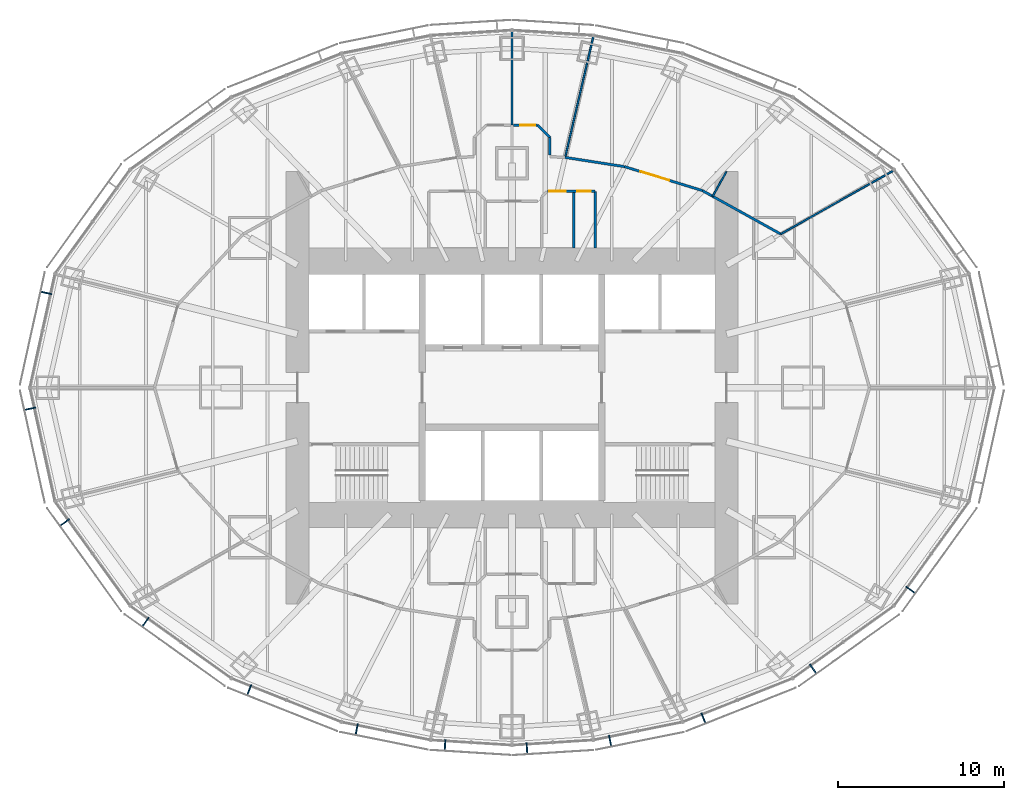
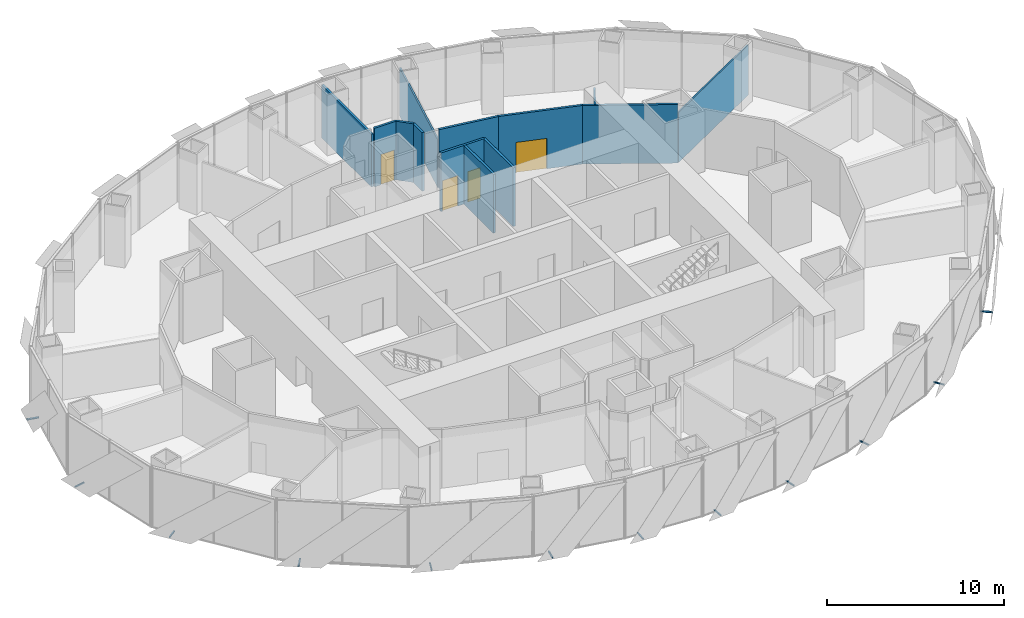
# One storey, part 13 of 17: 13 walls, 12 discrete accessories, 4 doors, 4 openings.
"""IFC4 building model written with IfcOpenShell, lengths in metres."""

from ifc_helpers import new_model, si_unit, direction, frame, frame_2d, origin, origin_2d, place, context, subcontext, project, spatial, rectangle, extrude, material, layer, layer_set, type_object, element, fill, save


model = new_model("IFC4")

# Units and contexts
model_context = context("Model", 3, precision=1e-05, world=origin(), true_north=direction((0.0, 1.0)))
body_context = subcontext(model_context, "Body", "Model", "MODEL_VIEW")
ifc_project = project(units=[si_unit("LENGTHUNIT", "METRE"), si_unit("AREAUNIT", "SQUARE_METRE"), si_unit("VOLUMEUNIT", "CUBIC_METRE"), si_unit("PLANEANGLEUNIT", "RADIAN"), si_unit("MASSUNIT", "GRAM", prefix="KILO")], contexts=[model_context])

# Site, building, storey
site_placement = place(None, origin())
site = spatial("IfcSite", under=ifc_project, at=site_placement, CompositionType="ELEMENT")
building_placement = place(site_placement, origin())
building = spatial("IfcBuilding", under=site, at=building_placement, Name="Lantaw Convention Tower", CompositionType="ELEMENT")
storey_placement = place(building_placement, frame((0.0, 0.0, 155.199951171875)))
storey = spatial("IfcBuildingStorey", under=building, at=storey_placement, Name="L36", CompositionType="ELEMENT", Elevation=155.199951171875)

# Wall
ifc_material_1 = material(Name="Gypsum board on steel studs, fire rated", Category="steel")
ifc_layer_1 = layer(ifc_material_1, 0.14990234375)
ifc_layer_set_1 = layer_set([ifc_layer_1], Name="Corridor wall 150 EI 60")
wall_type_1 = type_object("IfcWallType", Name="Corridor wall 150 EI 60", PredefinedType="PARTITIONING", material=ifc_layer_set_1)
wall_1_placement = place(storey_placement, frame((16.159912109375, 9.234375, 0.0), z_axis=(0.0, 0.0, 1.0), x_axis=(-0.87433873028, 0.485316169865, 0.0)))
element("IfcWall", 1, at=wall_1_placement, inside=storey, type_object=wall_type_1, Name="Corridor wall 150", PredefinedType="PARTITIONING", context=body_context, shape_type="SweptSolid", body=[
    extrude(rectangle(XDim=5.392822265625, YDim=0.14990234375, at=frame_2d((2.6962890625, 0.0))), origin(), (0.0, 0.0, 1.0), 4.050048828125),
])

# Wall, opening, door
wall_2_placement = place(storey_placement, frame((11.44482421875, 11.8515625, 0.0), z_axis=(0.0, 0.0, 1.0), x_axis=(-0.955892284323, 0.293717450573, 0.0)))
wall_2 = element("IfcWall", 2, at=wall_2_placement, inside=storey, type_object=wall_type_1, Name="Corridor wall 150", PredefinedType="PARTITIONING", context=body_context, shape_type="SweptSolid", body=[
    extrude(rectangle(XDim=4.889892578125, YDim=0.14990234375, at=frame_2d((2.44482421875, 0.0))), origin(), (0.0, 0.0, 1.0), 4.050048828125),
])
opening_1_placement = place(wall_2_placement, frame((2.08154296875, 0.0, 0.0)))
opening_1 = element("IfcOpeningElement", 3, at=opening_1_placement, cuts=wall_2, Name="Opening L36.24", PredefinedType="OPENING", context=body_context, shape_type="SweptSolid", body=[
    extrude(rectangle(XDim=1.800048828125, YDim=2.10009765625, at=frame_2d((0.89990234375, 1.050048828125))), frame((0.0, 0.0849609375, 0.0), z_axis=(0.0, -1.0, 0.0), x_axis=(1.0, 0.0, 0.0)), (0.0, 0.0, 1.0), 0.169921875),
])
ifc_material_2 = material(Name="Steel, fire rated", Category="steel")
door_type_1 = type_object("IfcDoorType", Name="Office double door 1800 FD30", OperationType="DOUBLE_DOOR_DOUBLE_SWING", PredefinedType="DOOR", material=ifc_material_2)
door_1_placement = place(opening_1_placement, origin())
door_1 = element("IfcDoor", 4, at=door_1_placement, inside=storey, type_object=door_type_1, Name="Tenant suite door", OperationType="DOUBLE_DOOR_DOUBLE_SWING", OverallHeight=2.10009765625, OverallWidth=1.800048828125, PredefinedType="DOOR", context=body_context, shape_type="SweptSolid", body=[
    extrude(rectangle(XDim=1.800048828125, YDim=2.10009765625, at=frame_2d((0.89990234375, 1.050048828125))), frame((0.0, 0.02490234375, 0.0), z_axis=(0.0, -1.0, 0.0), x_axis=(1.0, 0.0, 0.0)), (0.0, 0.0, 1.0), 0.050048828125),
])
fill(opening_1, door_1)

# Wall
wall_3_placement = place(storey_placement, frame((6.7705078125, 13.287841796875, 0.0), z_axis=(0.0, 0.0, 1.0), x_axis=(-0.98808911792, 0.153882731479, 0.0)))
element("IfcWall", 5, at=wall_3_placement, inside=storey, type_object=wall_type_1, Name="Corridor wall 150", PredefinedType="PARTITIONING", context=body_context, shape_type="SweptSolid", body=[
    extrude(rectangle(XDim=3.6171875, YDim=0.14990234375, at=frame_2d((1.80859375, 0.0))), origin(), (0.0, 0.0, 1.0), 4.050048828125),
])

# Wall, opening, door
wall_4_placement = place(storey_placement, frame((0.103271484375, 15.784912109375, 0.0), z_axis=(0.0, 0.0, 1.0), x_axis=(1.0, 0.0, 0.0)))
wall_4 = element("IfcWall", 6, at=wall_4_placement, inside=storey, type_object=wall_type_1, Name="Corridor wall 150", PredefinedType="PARTITIONING", context=body_context, shape_type="SweptSolid", body=[
    extrude(rectangle(XDim=1.428955078125, YDim=0.14990234375, at=frame_2d((0.71435546875, 0.0))), origin(), (0.0, 0.0, 1.0), 4.050048828125),
])
opening_2_placement = place(wall_4_placement, frame((0.39990234375, 0.0, 0.0)))
opening_2 = element("IfcOpeningElement", 7, at=opening_2_placement, cuts=wall_4, Name="Opening L36.25", PredefinedType="OPENING", context=body_context, shape_type="SweptSolid", body=[
    extrude(rectangle(XDim=0.89990234375, YDim=2.10009765625, at=frame_2d((0.449951171875, 1.050048828125))), frame((0.0, 0.0849609375, 0.0), z_axis=(0.0, -1.0, 0.0), x_axis=(1.0, 0.0, 0.0)), (0.0, 0.0, 1.0), 0.169921875),
])
door_type_2 = type_object("IfcDoorType", Name="Office door 900 FD30", OperationType="SINGLE_SWING_LEFT", PredefinedType="DOOR", material=ifc_material_2)
door_2_placement = place(opening_2_placement, origin())
door_2 = element("IfcDoor", 8, at=door_2_placement, inside=storey, type_object=door_type_2, Name="Pantry door", OperationType="SINGLE_SWING_LEFT", OverallHeight=2.10009765625, OverallWidth=0.89990234375, PredefinedType="DOOR", context=body_context, shape_type="SweptSolid", body=[
    extrude(rectangle(XDim=0.89990234375, YDim=2.10009765625, at=frame_2d((0.449951171875, 1.050048828125))), frame((0.0, 0.02490234375, 0.0), z_axis=(0.0, -1.0, 0.0), x_axis=(1.0, 0.0, 0.0)), (0.0, 0.0, 1.0), 0.050048828125),
])
fill(opening_2, door_2)

# Walls
wall_5_placement = place(storey_placement, frame((1.5322265625, 15.784912109375, 0.0), z_axis=(0.0, 0.0, 1.0), x_axis=(0.707106781187, -0.707106781187, 0.0)))
element("IfcWall", 9, at=wall_5_placement, inside=storey, type_object=wall_type_1, Name="Corridor wall 150", PredefinedType="PARTITIONING", context=body_context, shape_type="SweptSolid", body=[
    extrude(rectangle(XDim=1.064453125, YDim=0.14990234375, at=frame_2d((0.5322265625, 0.0))), origin(), (0.0, 0.0, 1.0), 4.050048828125),
])
wall_6_placement = place(storey_placement, frame((2.284912109375, 15.0322265625, 0.0), z_axis=(0.0, 0.0, 1.0), x_axis=(0.0, -1.0, 0.0)))
element("IfcWall", 10, at=wall_6_placement, inside=storey, type_object=wall_type_1, Name="Corridor wall 150", PredefinedType="PARTITIONING", context=body_context, shape_type="SweptSolid", body=[
    extrude(rectangle(XDim=1.042236328125, YDim=0.14990234375, at=frame_2d((0.52099609375, 0.0))), origin(), (0.0, 0.0, 1.0), 4.050048828125),
])
ifc_material_3 = material(Name="Gypsum board on steel studs, acoustic", Category="steel")
ifc_layer_2 = layer(ifc_material_3, 0.10009765625)
ifc_layer_set_2 = layer_set([ifc_layer_2], Name="Office partition 100")
wall_type_2 = type_object("IfcWallType", Name="Office partition 100", PredefinedType="PARTITIONING", material=ifc_layer_set_2)
wall_7_placement = place(storey_placement, frame((22.94921875, 13.058837890625, 0.0), z_axis=(0.0, 0.0, 1.0), x_axis=(-0.871274989434, -0.490795163777, 0.0)))
element("IfcWall", 11, at=wall_7_placement, inside=storey, type_object=wall_type_2, Name="Office partition 100", PredefinedType="PARTITIONING", context=body_context, shape_type="SweptSolid", body=[
    extrude(rectangle(XDim=7.79248046875, YDim=0.10009765625, at=frame_2d((3.896240234375, 0.0))), origin(), (0.0, 0.0, 1.0), 3.45068359375),
])
wall_8_placement = place(storey_placement, frame((4.89697265625, 21.134765625, 0.0), z_axis=(0.0, 0.0, 1.0), x_axis=(-0.227181159974, -0.973852514785, 0.0)))
element("IfcWall", 12, at=wall_8_placement, inside=storey, type_object=wall_type_2, Name="Office partition 100", PredefinedType="PARTITIONING", context=body_context, shape_type="SweptSolid", body=[
    extrude(rectangle(XDim=7.486083984375, YDim=0.10009765625, at=frame_2d((3.7431640625, 0.0))), origin(), (0.0, 0.0, 1.0), 3.293212890625),
])
wall_9_placement = place(storey_placement, frame((12.89990234375, 13.0, 0.0), z_axis=(0.0, 0.0, 1.0), x_axis=(-0.485339901234, -0.87432555737, 0.0)))
element("IfcWall", 13, at=wall_9_placement, inside=storey, type_object=wall_type_2, Name="Office partition 100", PredefinedType="PARTITIONING", context=body_context, shape_type="SweptSolid", body=[
    extrude(rectangle(XDim=1.710205078125, YDim=0.10009765625, at=frame_2d((0.85498046875, 0.0))), origin(), (0.0, 0.0, 1.0), 4.050048828125),
])
ifc_layer_3 = layer(ifc_material_1, 0.14990234375)
ifc_layer_set_3 = layer_set([ifc_layer_3], Name="Tenant separation wall 150 EI 60")
wall_type_3 = type_object("IfcWallType", Name="Tenant separation wall 150 EI 60", PredefinedType="PARTITIONING", material=ifc_layer_set_3)
wall_10_placement = place(storey_placement, frame((0.0, 21.44482421875, 0.0), z_axis=(0.0, 0.0, 1.0), x_axis=(0.0, -1.0, 0.0)))
element("IfcWall", 14, at=wall_10_placement, inside=storey, type_object=wall_type_3, Name="Tenant separation wall 150", PredefinedType="PARTITIONING", context=body_context, shape_type="SweptSolid", body=[
    extrude(rectangle(XDim=5.64990234375, YDim=0.14990234375, at=frame_2d((2.824951171875, 0.0))), origin(), (0.0, 0.0, 1.0), 3.646240234375),
])
ifc_material_4 = material(Name="Concrete blockwork", Category="masonry")
ifc_layer_4 = layer(ifc_material_4, 0.14990234375)
ifc_layer_set_4 = layer_set([ifc_layer_4], Name="WC wall 150")
wall_type_4 = type_object("IfcWallType", Name="WC wall 150", PredefinedType="SOLIDWALL", material=ifc_layer_set_4)
for number, where, z_axis, x_axis, name in (
    (15, (5.0, 8.39990234375, 0.0), (0.0, 0.0, 1.0), (0.0, 1.0, 0.0), "WC wall 150"),
    (16, (3.699951171875, 8.39990234375, 0.0), (0.0, 0.0, 1.0), (0.0, 1.0, 0.0), "WC wall 150"),
):
    element("IfcWall", number, at=place(storey_placement, frame(where, z_axis=z_axis, x_axis=x_axis)), inside=storey, type_object=wall_type_4, Name=name, PredefinedType="SOLIDWALL", context=body_context, shape_type="SweptSolid", body=[
        extrude(rectangle(XDim=3.400146484375, YDim=0.14990234375, at=frame_2d((1.7001953125, 0.0))), origin(), (0.0, 0.0, 1.0), 4.050048828125),
    ])

# Wall, openings, doors
wall_11_placement = place(storey_placement, frame((2.13134765625, 11.800048828125, 0.0), z_axis=(0.0, 0.0, 1.0), x_axis=(1.0, 0.0, 0.0)))
wall_11 = element("IfcWall", 17, at=wall_11_placement, inside=storey, type_object=wall_type_4, Name="WC wall 150", PredefinedType="SOLIDWALL", context=body_context, shape_type="SweptSolid", body=[
    extrude(rectangle(XDim=2.86865234375, YDim=0.14990234375, at=frame_2d((1.434326171875, 0.0))), origin(), (0.0, 0.0, 1.0), 4.050048828125),
])
opening_3_placement = place(wall_11_placement, frame((0.10009765625, 0.0, 0.0)))
opening_3 = element("IfcOpeningElement", 18, at=opening_3_placement, cuts=wall_11, Name="Opening L36.16", PredefinedType="OPENING", context=body_context, shape_type="SweptSolid", body=[
    extrude(rectangle(XDim=1.0, YDim=2.10009765625, at=frame_2d((0.5, 1.050048828125))), frame((0.0, 0.0849609375, 0.0), z_axis=(0.0, -1.0, 0.0), x_axis=(1.0, 0.0, 0.0)), (0.0, 0.0, 1.0), 0.169921875),
])
opening_4_placement = place(wall_11_placement, frame((1.800048828125, 0.0, 0.0)))
opening_4 = element("IfcOpeningElement", 19, at=opening_4_placement, cuts=wall_11, Name="Opening L36.17", PredefinedType="OPENING", context=body_context, shape_type="SweptSolid", body=[
    extrude(rectangle(XDim=0.800048828125, YDim=2.10009765625, at=frame_2d((0.39990234375, 1.050048828125))), frame((0.0, 0.0849609375, 0.0), z_axis=(0.0, -1.0, 0.0), x_axis=(1.0, 0.0, 0.0)), (0.0, 0.0, 1.0), 0.169921875),
])
ifc_material_5 = material(Name="Timber", Category="wood")
door_type_3 = type_object("IfcDoorType", Name="Accessible WC door 1000", OperationType="SINGLE_SWING_LEFT", PredefinedType="DOOR", material=ifc_material_5)
door_3_placement = place(opening_3_placement, origin())
door_3 = element("IfcDoor", 20, at=door_3_placement, inside=storey, type_object=door_type_3, Name="Accessible WC door", OperationType="SINGLE_SWING_LEFT", OverallHeight=2.10009765625, OverallWidth=1.0, PredefinedType="DOOR", context=body_context, shape_type="SweptSolid", body=[
    extrude(rectangle(XDim=1.0, YDim=2.10009765625, at=frame_2d((0.5, 1.050048828125))), frame((0.0, 0.02490234375, 0.0), z_axis=(0.0, -1.0, 0.0), x_axis=(1.0, 0.0, 0.0)), (0.0, 0.0, 1.0), 0.050048828125),
])
fill(opening_3, door_3)
door_type_4 = type_object("IfcDoorType", Name="WC door 800", OperationType="SINGLE_SWING_LEFT", PredefinedType="DOOR", material=ifc_material_5)
door_4_placement = place(opening_4_placement, origin())
door_4 = element("IfcDoor", 21, at=door_4_placement, inside=storey, type_object=door_type_4, Name="Cleaner's store door", OperationType="SINGLE_SWING_LEFT", OverallHeight=2.10009765625, OverallWidth=0.800048828125, PredefinedType="DOOR", context=body_context, shape_type="SweptSolid", body=[
    extrude(rectangle(XDim=0.800048828125, YDim=2.10009765625, at=frame_2d((0.39990234375, 1.050048828125))), frame((0.0, 0.02490234375, 0.0), z_axis=(0.0, -1.0, 0.0), x_axis=(1.0, 0.0, 0.0)), (0.0, 0.0, 1.0), 0.050048828125),
])
fill(opening_4, door_4)

# Discrete accessories
for number, where, z_axis, x_axis, name in (
    (22, (-28.008056640625, 5.6953125, -0.114990234375), (0.0, 0.0, 1.0), (-0.215546166174, -0.9764936509, 0.0), "Screen bracket"),
    (23, (-28.98486328125, -1.269775390625, -0.114990234375), (0.0, 0.0, 1.0), (0.215546166174, -0.9764936509, 0.0), "Screen bracket"),
    (24, (-26.900146484375, -8.111572265625, -0.114990234375), (0.0, 0.0, 1.0), (0.584512597221, -0.811384633629, 0.0), "Screen bracket"),
    (25, (-22.044189453125, -14.10546875, -0.114990234375), (0.0, 0.0, 1.0), (0.813208325995, -0.581972695693, 0.0), "Screen bracket"),
    (26, (-15.802978515625, -18.18798828125, -0.114990234375), (0.0, 0.0, 1.0), (0.929547687544, -0.368701907483, 0.0), "Screen bracket"),
    (27, (-9.339599609375, -20.56005859375, -0.114990234375), (0.0, 0.0, 1.0), (0.980301514912, -0.197506809659, 0.0), "Screen bracket"),
    (28, (-4.027099609375, -21.505859375, -0.114990234375), (0.0, 0.0, 1.0), (0.998022035978, -0.062865059466, 0.0), "Screen bracket"),
    (29, (0.89794921875, -21.702880859375, -0.114990234375), (0.0, 0.0, 1.0), (0.998022035978, 0.062865059466, 0.0), "Screen bracket"),
    (30, (5.903076171875, -21.25244140625, -0.114990234375), (0.0, 0.0, 1.0), (0.980301514912, 0.197506809659, 0.0), "Screen bracket"),
    (31, (11.517822265625, -19.887939453125, -0.114990234375), (0.0, 0.0, 1.0), (0.929547687544, 0.368701907483, 0.0), "Screen bracket"),
    (32, (18.10791015625, -16.922607421875, -0.114990234375), (0.0, 0.0, 1.0), (0.813208325995, 0.581972695693, 0.0), "Screen bracket"),
    (33, (23.9765625, -12.169677734375, -0.114990234375), (0.0, 0.0, 1.0), (0.584512597221, 0.811384633629, 0.0), "Screen bracket"),
):
    element("IfcDiscreteAccessory", number, at=place(storey_placement, frame(where, z_axis=z_axis, x_axis=x_axis)), inside=storey, Name=name, PredefinedType="BRACKET", context=body_context, shape_type="SweptSolid", body=[
        extrude(rectangle(XDim=0.080078125, YDim=0.68798828125, at=origin_2d()), origin(), (0.0, 0.0, 1.0), 0.080078125),
    ])

save(model, "model.ifc")
